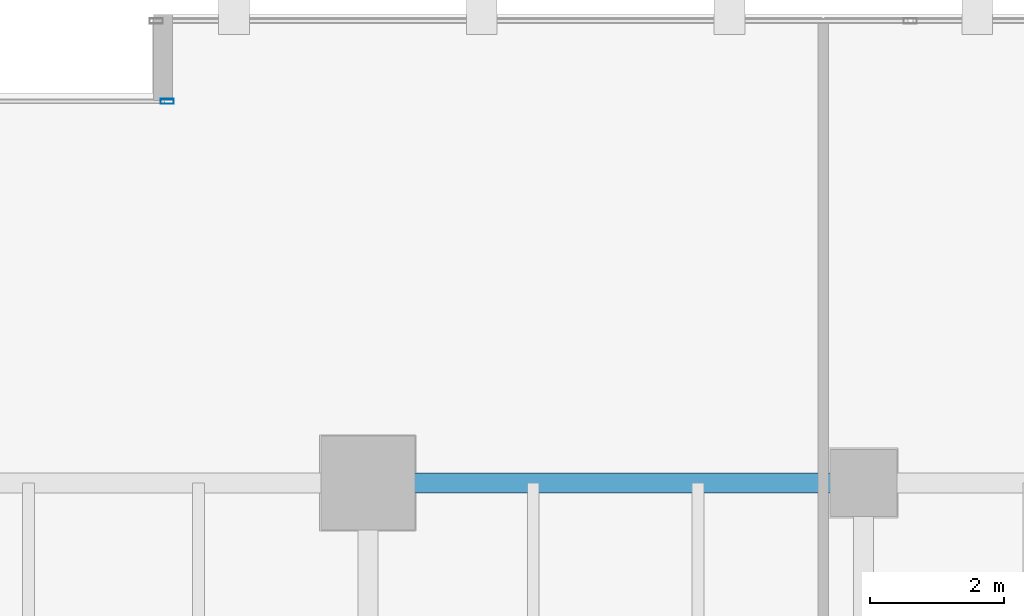
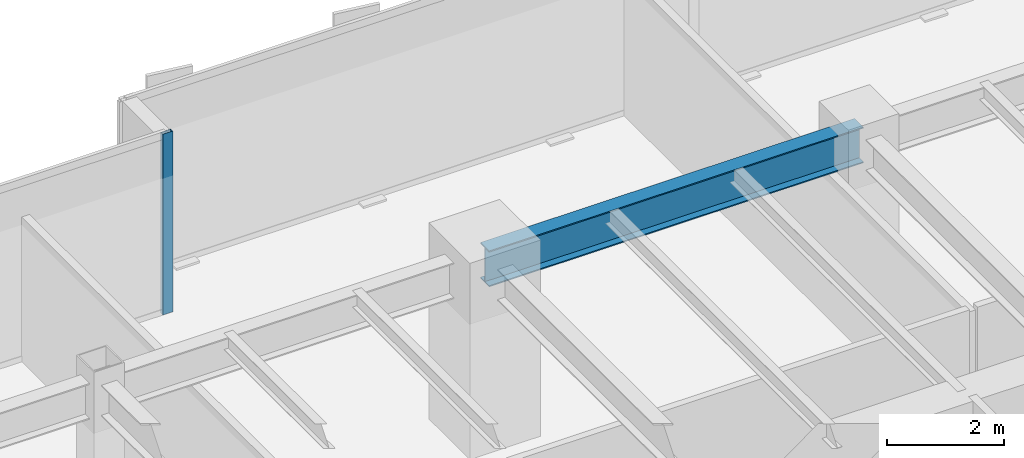
# One storey, part 20 of 37: 1 beam, 1 member, 1 element without a shape of its own.
"""IFC4 building model written with IfcOpenShell, lengths in metres."""

from ifc_helpers import new_model, si_unit, direction, frame, origin, origin_2d, place, context, subcontext, project, spatial, hollow_rectangle, i_section, extrude, source, transform, mapped, material, layer, layer_set, material_profile, profile_set, type_object, type_shapes, element, aggregate, save


model = new_model("IFC4")

# Units and contexts
model_context = context("Model", 3, precision=1e-05, world=origin(), true_north=direction((0.0, 1.0)))
body_context = subcontext(model_context, "Body", "Model", "MODEL_VIEW")
ifc_project = project(units=[si_unit("LENGTHUNIT", "METRE"), si_unit("AREAUNIT", "SQUARE_METRE"), si_unit("VOLUMEUNIT", "CUBIC_METRE"), si_unit("PLANEANGLEUNIT", "RADIAN"), si_unit("MASSUNIT", "GRAM", prefix="KILO")], contexts=[model_context])

# Site, building, storey
site_placement = place(None, origin())
site = spatial("IfcSite", under=ifc_project, at=site_placement, CompositionType="ELEMENT")
building_placement = place(site_placement, origin())
building = spatial("IfcBuilding", under=site, at=building_placement, Name="Haelvirn Gate Laboratories", CompositionType="ELEMENT")
storey_placement = place(building_placement, frame((0.0, 0.0, 74.39990234375)))
storey = spatial("IfcBuildingStorey", under=building, at=storey_placement, Name="L18", CompositionType="ELEMENT", Elevation=74.39990234375)

# Beam
ifc_material_1 = material(Name="Steel SM355", Category="steel")
ifc_material_profile_1 = material_profile(ifc_material_1, i_section(OverallWidth=0.300048828125, OverallDepth=0.75, WebThickness=0.013916015625, FlangeThickness=0.02392578125, at=origin_2d()), Name="H-750x300x14x24")
ifc_profile_set_1 = profile_set([ifc_material_profile_1], Name="Steel SM355")
beam_type = type_object("IfcBeamType", Name="BM-G-750", PredefinedType="BEAM", material=ifc_profile_set_1)
shared_shape_1 = source(origin(), body_context, "Body", "SweptSolid", [
    extrude(i_section(OverallWidth=0.300048828125, OverallDepth=0.75, WebThickness=0.013916015625, FlangeThickness=0.02392578125, at=origin_2d()), origin(), (0.0, 0.0, 1.0), 7.39990234375),
])
type_shapes(beam_type, [shared_shape_1])
beam_placement = place(storey_placement, frame((52.60009765625, 41.60009765625, 3.405029296875), z_axis=(1.0, 0.0, 0.0), x_axis=(0.0, 1.0, 0.0)))
element("IfcBeam", 1, at=beam_placement, inside=storey, type_object=beam_type, Name="L18 Primary Girder Y41.6 (52.6-60.0)", PredefinedType="BEAM", context=body_context, shape_type="MappedRepresentation", body=[
    mapped(shared_shape_1, transform((0.0, 0.0, 0.0), scale=1.0)),
])

# Curtain wall, member
ifc_material_2 = material(Name="Anodised bronze unitised aluminium & triple low-E glass", Category="aluminium")
ifc_layer = layer(ifc_material_2, 0.18408203125, Name="CW-SYS-2")
ifc_layer_set = layer_set([ifc_layer], Name="Anodised bronze unitised aluminium & triple low-E glass")
curtain_wall_type = type_object("IfcCurtainWallType", Name="CW-SYS-2", PredefinedType="NOTDEFINED", material=ifc_layer_set)
curtain_wall_placement = place(storey_placement, origin())
curtain_wall = element("IfcCurtainWall", 2, at=curtain_wall_placement, inside=storey, type_object=curtain_wall_type, Name="L18 Unitised Curtain Wall CW-L18-P0-E12-1", PredefinedType="NOTDEFINED")
ifc_material_3 = material(Name="Extruded aluminium 6063-T6 (anodised bronze)", Category="aluminium")
ifc_material_profile_2 = material_profile(ifc_material_3, hollow_rectangle(XDim=0.074951171875, YDim=0.199951171875, WallThickness=0.0048828125, at=origin_2d()), Name="CWM-200x75x5")
ifc_profile_set_2 = profile_set([ifc_material_profile_2], Name="Extruded aluminium 6063-T6 (anodised bronze)")
member_type = type_object("IfcMemberType", Name="CWM-T200", PredefinedType="MULLION", material=ifc_profile_set_2)
shared_shape_2 = source(origin(), body_context, "Body", "SweptSolid", [
    extrude(hollow_rectangle(XDim=0.074951171875, YDim=0.199951171875, WallThickness=0.0048828125, at=origin_2d()), origin(), (0.0, 0.0, 1.0), 3.780029296875),
])
type_shapes(member_type, [shared_shape_2])
member_placement = place(storey_placement, frame((49.6025390625, 47.300048828125, 0.0), z_axis=(0.0, 0.0, 1.0), x_axis=(0.0, 1.0, 0.0)))
member = element("IfcMember", 3, at=member_placement, type_object=member_type, Name="CW2 mullion 3", PredefinedType="MULLION", context=body_context, shape_type="MappedRepresentation", body=[
    mapped(shared_shape_2, transform((0.0, 0.0, 0.0), scale=1.0)),
])
aggregate(curtain_wall, [member])

save(model, "model.ifc")
